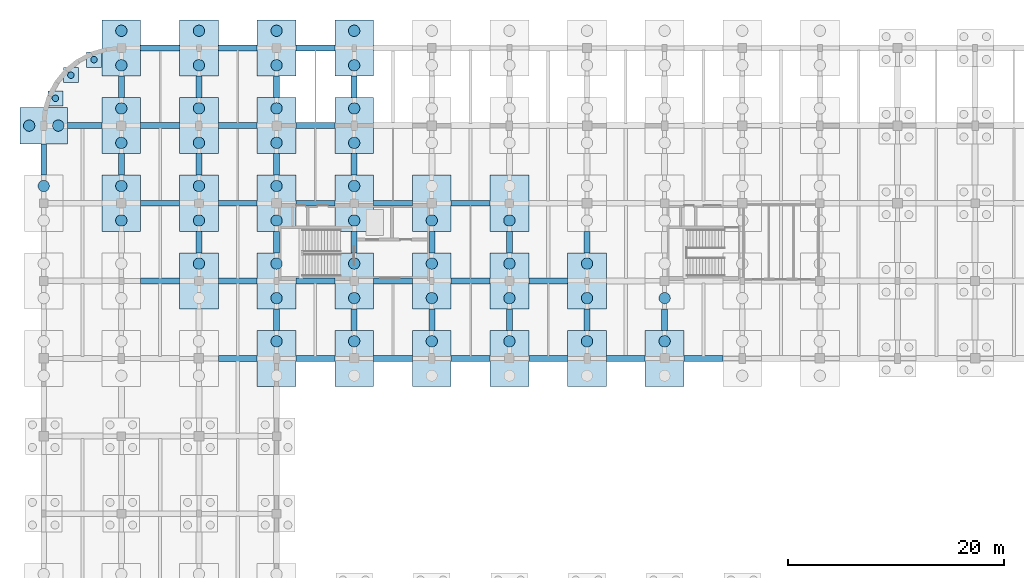
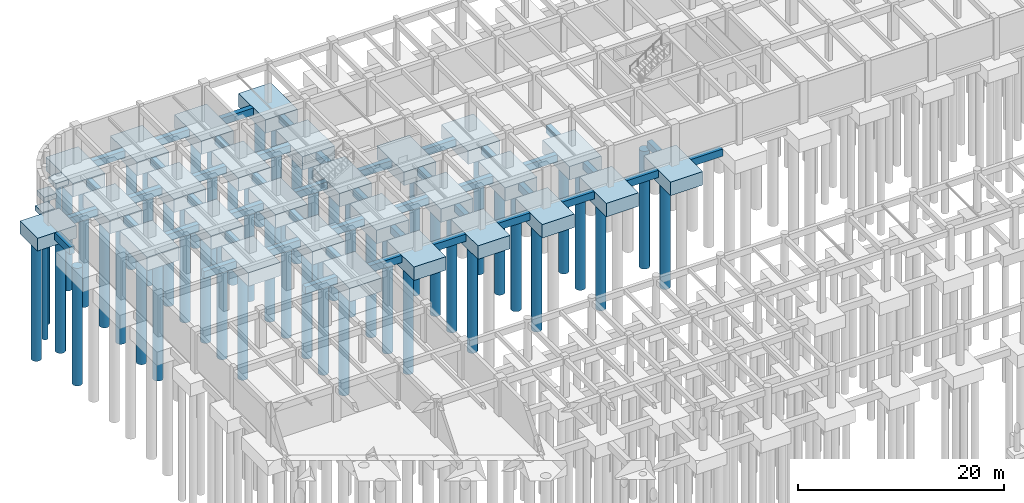
# One storey, part 7 of 47: 76 footings, 50 piles.
"""IFC4 building model written with IfcOpenShell, lengths in metres."""

from ifc_helpers import new_model, si_unit, direction, frame, origin, origin_2d, place, context, subcontext, project, spatial, rectangle, circle, extrude, material, material_profile, profile_set, type_object, element, save


model = new_model("IFC4")

# Units and contexts
model_context = context("Model", 3, precision=1e-05, world=origin(), true_north=direction((0.0, 1.0)))
body_context = subcontext(model_context, "Body", "Model", "MODEL_VIEW")
ifc_project = project(units=[si_unit("LENGTHUNIT", "METRE"), si_unit("AREAUNIT", "SQUARE_METRE"), si_unit("VOLUMEUNIT", "CUBIC_METRE"), si_unit("PLANEANGLEUNIT", "RADIAN"), si_unit("MASSUNIT", "GRAM", prefix="KILO")], contexts=[model_context])

# Site, building, storey
site_placement = place(None, origin())
site = spatial("IfcSite", under=ifc_project, at=site_placement, CompositionType="ELEMENT")
building_placement = place(site_placement, origin())
building = spatial("IfcBuilding", under=site, at=building_placement, Name="Thalmaran Polytechnic", CompositionType="ELEMENT")
storey_placement = place(building_placement, frame((0.0, 0.0, -4.5)))
storey = spatial("IfcBuildingStorey", under=building, at=storey_placement, Name="B1", CompositionType="ELEMENT", Elevation=-4.5)

# Footings
ifc_material_1 = material(Name="Concrete C40/50", Category="concrete")
ifc_material_profile_1 = material_profile(ifc_material_1, rectangle(XDim=0.550048828125, YDim=0.85009765625, at=origin_2d()), Name="RC 550x850")
ifc_profile_set_1 = profile_set([ifc_material_profile_1], Name="Concrete C40/50")
footing_type_1 = type_object("IfcFootingType", Name="FN-GB01", PredefinedType="FOOTING_BEAM", material=ifc_profile_set_1)
footing_1_placement = place(storey_placement, frame((0.0, 110.60009765625, -0.875), z_axis=(0.0, 1.0, 0.0), x_axis=(-1.0, 0.0, 0.0)))
element("IfcFooting", 1, at=footing_1_placement, inside=storey, type_object=footing_type_1, Name="Ground Tie Beam B1 Y (0,15)", PredefinedType="FOOTING_BEAM", context=body_context, shape_type="SweptSolid", body=[
    extrude(rectangle(XDim=0.550048828125, YDim=0.85009765625, at=origin_2d()), origin(), (0.0, 0.0, 1.0), 2.89990234375),
])
footing_2_placement = place(storey_placement, frame((2.199951171875, 115.199951171875, -0.875), z_axis=(1.0, 0.0, 0.0), x_axis=(0.0, 1.0, 0.0)))
element("IfcFooting", 2, at=footing_2_placement, inside=storey, type_object=footing_type_1, Name="Ground Tie Beam B1 X (0,16)", PredefinedType="FOOTING_BEAM", context=body_context, shape_type="SweptSolid", body=[
    extrude(rectangle(XDim=0.550048828125, YDim=0.85009765625, at=origin_2d()), origin(), (0.0, 0.0, 1.0), 3.199951171875),
])
for number, where, z_axis, x_axis, name in (
    (3, (9.0, 100.800048828125, -0.875), (1.0, 0.0, 0.0), (0.0, 1.0, 0.0), "Ground Tie Beam B1 X (1,14)"),
    (4, (9.0, 108.0, -0.875), (1.0, 0.0, 0.0), (0.0, 1.0, 0.0), "Ground Tie Beam B1 X (1,15)"),
):
    element("IfcFooting", number, at=place(storey_placement, frame(where, z_axis=z_axis, x_axis=x_axis)), inside=storey, type_object=footing_type_1, Name=name, PredefinedType="FOOTING_BEAM", context=body_context, shape_type="SweptSolid", body=[
        extrude(rectangle(XDim=0.550048828125, YDim=0.85009765625, at=origin_2d()), origin(), (0.0, 0.0, 1.0), 3.60009765625),
    ])
footing_3_placement = place(storey_placement, frame((7.199951171875, 110.60009765625, -0.875), z_axis=(0.0, 1.0, 0.0), x_axis=(-1.0, 0.0, 0.0)))
element("IfcFooting", 5, at=footing_3_placement, inside=storey, type_object=footing_type_1, Name="Ground Tie Beam B1 Y (1,15)", PredefinedType="FOOTING_BEAM", context=body_context, shape_type="SweptSolid", body=[
    extrude(rectangle(XDim=0.550048828125, YDim=0.85009765625, at=origin_2d()), origin(), (0.0, 0.0, 1.0), 2.0),
])
footing_4_placement = place(storey_placement, frame((9.0, 115.199951171875, -0.875), z_axis=(1.0, 0.0, 0.0), x_axis=(0.0, 1.0, 0.0)))
element("IfcFooting", 6, at=footing_4_placement, inside=storey, type_object=footing_type_1, Name="Ground Tie Beam B1 X (1,16)", PredefinedType="FOOTING_BEAM", context=body_context, shape_type="SweptSolid", body=[
    extrude(rectangle(XDim=0.550048828125, YDim=0.85009765625, at=origin_2d()), origin(), (0.0, 0.0, 1.0), 3.60009765625),
])
footing_5_placement = place(storey_placement, frame((7.199951171875, 117.800048828125, -0.875), z_axis=(0.0, 1.0, 0.0), x_axis=(-1.0, 0.0, 0.0)))
element("IfcFooting", 7, at=footing_5_placement, inside=storey, type_object=footing_type_1, Name="Ground Tie Beam B1 Y (1,16)", PredefinedType="FOOTING_BEAM", context=body_context, shape_type="SweptSolid", body=[
    extrude(rectangle(XDim=0.550048828125, YDim=0.85009765625, at=origin_2d()), origin(), (0.0, 0.0, 1.0), 2.0),
])
for number, where, z_axis, x_axis, name in (
    (8, (9.0, 122.39990234375, -0.875), (1.0, 0.0, 0.0), (0.0, 1.0, 0.0), "Ground Tie Beam B1 X (1,17)"),
    (9, (16.199951171875, 93.60009765625, -0.875), (1.0, 0.0, 0.0), (0.0, 1.0, 0.0), "Ground Tie Beam B1 X (2,13)"),
    (10, (16.199951171875, 100.800048828125, -0.875), (1.0, 0.0, 0.0), (0.0, 1.0, 0.0), "Ground Tie Beam B1 X (2,14)"),
):
    element("IfcFooting", number, at=place(storey_placement, frame(where, z_axis=z_axis, x_axis=x_axis)), inside=storey, type_object=footing_type_1, Name=name, PredefinedType="FOOTING_BEAM", context=body_context, shape_type="SweptSolid", body=[
        extrude(rectangle(XDim=0.550048828125, YDim=0.85009765625, at=origin_2d()), origin(), (0.0, 0.0, 1.0), 3.60009765625),
    ])
footing_6_placement = place(storey_placement, frame((14.39990234375, 103.39990234375, -0.875), z_axis=(0.0, 1.0, 0.0), x_axis=(-1.0, 0.0, 0.0)))
element("IfcFooting", 11, at=footing_6_placement, inside=storey, type_object=footing_type_1, Name="Ground Tie Beam B1 Y (2,14)", PredefinedType="FOOTING_BEAM", context=body_context, shape_type="SweptSolid", body=[
    extrude(rectangle(XDim=0.550048828125, YDim=0.85009765625, at=origin_2d()), origin(), (0.0, 0.0, 1.0), 2.0),
])
footing_7_placement = place(storey_placement, frame((16.199951171875, 108.0, -0.875), z_axis=(1.0, 0.0, 0.0), x_axis=(0.0, 1.0, 0.0)))
element("IfcFooting", 12, at=footing_7_placement, inside=storey, type_object=footing_type_1, Name="Ground Tie Beam B1 X (2,15)", PredefinedType="FOOTING_BEAM", context=body_context, shape_type="SweptSolid", body=[
    extrude(rectangle(XDim=0.550048828125, YDim=0.85009765625, at=origin_2d()), origin(), (0.0, 0.0, 1.0), 3.60009765625),
])
footing_8_placement = place(storey_placement, frame((14.39990234375, 110.60009765625, -0.875), z_axis=(0.0, 1.0, 0.0), x_axis=(-1.0, 0.0, 0.0)))
element("IfcFooting", 13, at=footing_8_placement, inside=storey, type_object=footing_type_1, Name="Ground Tie Beam B1 Y (2,15)", PredefinedType="FOOTING_BEAM", context=body_context, shape_type="SweptSolid", body=[
    extrude(rectangle(XDim=0.550048828125, YDim=0.85009765625, at=origin_2d()), origin(), (0.0, 0.0, 1.0), 2.0),
])
footing_9_placement = place(storey_placement, frame((16.199951171875, 115.199951171875, -0.875), z_axis=(1.0, 0.0, 0.0), x_axis=(0.0, 1.0, 0.0)))
element("IfcFooting", 14, at=footing_9_placement, inside=storey, type_object=footing_type_1, Name="Ground Tie Beam B1 X (2,16)", PredefinedType="FOOTING_BEAM", context=body_context, shape_type="SweptSolid", body=[
    extrude(rectangle(XDim=0.550048828125, YDim=0.85009765625, at=origin_2d()), origin(), (0.0, 0.0, 1.0), 3.60009765625),
])
footing_10_placement = place(storey_placement, frame((14.39990234375, 117.800048828125, -0.875), z_axis=(0.0, 1.0, 0.0), x_axis=(-1.0, 0.0, 0.0)))
element("IfcFooting", 15, at=footing_10_placement, inside=storey, type_object=footing_type_1, Name="Ground Tie Beam B1 Y (2,16)", PredefinedType="FOOTING_BEAM", context=body_context, shape_type="SweptSolid", body=[
    extrude(rectangle(XDim=0.550048828125, YDim=0.85009765625, at=origin_2d()), origin(), (0.0, 0.0, 1.0), 2.0),
])
for number, where, z_axis, x_axis, name in (
    (16, (16.199951171875, 122.39990234375, -0.875), (1.0, 0.0, 0.0), (0.0, 1.0, 0.0), "Ground Tie Beam B1 X (2,17)"),
    (17, (23.39990234375, 93.60009765625, -0.875), (1.0, 0.0, 0.0), (0.0, 1.0, 0.0), "Ground Tie Beam B1 X (3,13)"),
):
    element("IfcFooting", number, at=place(storey_placement, frame(where, z_axis=z_axis, x_axis=x_axis)), inside=storey, type_object=footing_type_1, Name=name, PredefinedType="FOOTING_BEAM", context=body_context, shape_type="SweptSolid", body=[
        extrude(rectangle(XDim=0.550048828125, YDim=0.85009765625, at=origin_2d()), origin(), (0.0, 0.0, 1.0), 3.60009765625),
    ])
footing_11_placement = place(storey_placement, frame((21.60009765625, 96.199951171875, -0.875), z_axis=(0.0, 1.0, 0.0), x_axis=(-1.0, 0.0, 0.0)))
element("IfcFooting", 18, at=footing_11_placement, inside=storey, type_object=footing_type_1, Name="Ground Tie Beam B1 Y (3,13)", PredefinedType="FOOTING_BEAM", context=body_context, shape_type="SweptSolid", body=[
    extrude(rectangle(XDim=0.550048828125, YDim=0.85009765625, at=origin_2d()), origin(), (0.0, 0.0, 1.0), 2.0),
])
footing_12_placement = place(storey_placement, frame((23.39990234375, 100.800048828125, -0.875), z_axis=(1.0, 0.0, 0.0), x_axis=(0.0, 1.0, 0.0)))
element("IfcFooting", 19, at=footing_12_placement, inside=storey, type_object=footing_type_1, Name="Ground Tie Beam B1 X (3,14)", PredefinedType="FOOTING_BEAM", context=body_context, shape_type="SweptSolid", body=[
    extrude(rectangle(XDim=0.550048828125, YDim=0.85009765625, at=origin_2d()), origin(), (0.0, 0.0, 1.0), 3.60009765625),
])
footing_13_placement = place(storey_placement, frame((21.60009765625, 103.39990234375, -0.875), z_axis=(0.0, 1.0, 0.0), x_axis=(-1.0, 0.0, 0.0)))
element("IfcFooting", 20, at=footing_13_placement, inside=storey, type_object=footing_type_1, Name="Ground Tie Beam B1 Y (3,14)", PredefinedType="FOOTING_BEAM", context=body_context, shape_type="SweptSolid", body=[
    extrude(rectangle(XDim=0.550048828125, YDim=0.85009765625, at=origin_2d()), origin(), (0.0, 0.0, 1.0), 2.0),
])
footing_14_placement = place(storey_placement, frame((23.39990234375, 108.0, -0.875), z_axis=(1.0, 0.0, 0.0), x_axis=(0.0, 1.0, 0.0)))
element("IfcFooting", 21, at=footing_14_placement, inside=storey, type_object=footing_type_1, Name="Ground Tie Beam B1 X (3,15)", PredefinedType="FOOTING_BEAM", context=body_context, shape_type="SweptSolid", body=[
    extrude(rectangle(XDim=0.550048828125, YDim=0.85009765625, at=origin_2d()), origin(), (0.0, 0.0, 1.0), 3.60009765625),
])
footing_15_placement = place(storey_placement, frame((21.60009765625, 110.60009765625, -0.875), z_axis=(0.0, 1.0, 0.0), x_axis=(-1.0, 0.0, 0.0)))
element("IfcFooting", 22, at=footing_15_placement, inside=storey, type_object=footing_type_1, Name="Ground Tie Beam B1 Y (3,15)", PredefinedType="FOOTING_BEAM", context=body_context, shape_type="SweptSolid", body=[
    extrude(rectangle(XDim=0.550048828125, YDim=0.85009765625, at=origin_2d()), origin(), (0.0, 0.0, 1.0), 2.0),
])
footing_16_placement = place(storey_placement, frame((23.39990234375, 115.199951171875, -0.875), z_axis=(1.0, 0.0, 0.0), x_axis=(0.0, 1.0, 0.0)))
element("IfcFooting", 23, at=footing_16_placement, inside=storey, type_object=footing_type_1, Name="Ground Tie Beam B1 X (3,16)", PredefinedType="FOOTING_BEAM", context=body_context, shape_type="SweptSolid", body=[
    extrude(rectangle(XDim=0.550048828125, YDim=0.85009765625, at=origin_2d()), origin(), (0.0, 0.0, 1.0), 3.60009765625),
])
footing_17_placement = place(storey_placement, frame((21.60009765625, 117.800048828125, -0.875), z_axis=(0.0, 1.0, 0.0), x_axis=(-1.0, 0.0, 0.0)))
element("IfcFooting", 24, at=footing_17_placement, inside=storey, type_object=footing_type_1, Name="Ground Tie Beam B1 Y (3,16)", PredefinedType="FOOTING_BEAM", context=body_context, shape_type="SweptSolid", body=[
    extrude(rectangle(XDim=0.550048828125, YDim=0.85009765625, at=origin_2d()), origin(), (0.0, 0.0, 1.0), 2.0),
])
footing_18_placement = place(storey_placement, frame((23.39990234375, 122.39990234375, -0.875), z_axis=(1.0, 0.0, 0.0), x_axis=(0.0, 1.0, 0.0)))
element("IfcFooting", 25, at=footing_18_placement, inside=storey, type_object=footing_type_1, Name="Ground Tie Beam B1 X (3,17)", PredefinedType="FOOTING_BEAM", context=body_context, shape_type="SweptSolid", body=[
    extrude(rectangle(XDim=0.550048828125, YDim=0.85009765625, at=origin_2d()), origin(), (0.0, 0.0, 1.0), 3.60009765625),
])
footing_19_placement = place(storey_placement, frame((30.60009765625, 93.60009765625, -0.875), z_axis=(1.0, 0.0, 0.0), x_axis=(0.0, 1.0, 0.0)))
element("IfcFooting", 26, at=footing_19_placement, inside=storey, type_object=footing_type_1, Name="Ground Tie Beam B1 X (4,13)", PredefinedType="FOOTING_BEAM", context=body_context, shape_type="SweptSolid", body=[
    extrude(rectangle(XDim=0.550048828125, YDim=0.85009765625, at=origin_2d()), origin(), (0.0, 0.0, 1.0), 3.599853515625),
])
footing_20_placement = place(storey_placement, frame((28.800048828125, 96.199951171875, -0.875), z_axis=(0.0, 1.0, 0.0), x_axis=(-1.0, 0.0, 0.0)))
element("IfcFooting", 27, at=footing_20_placement, inside=storey, type_object=footing_type_1, Name="Ground Tie Beam B1 Y (4,13)", PredefinedType="FOOTING_BEAM", context=body_context, shape_type="SweptSolid", body=[
    extrude(rectangle(XDim=0.550048828125, YDim=0.85009765625, at=origin_2d()), origin(), (0.0, 0.0, 1.0), 2.0),
])
footing_21_placement = place(storey_placement, frame((30.60009765625, 100.800048828125, -0.875), z_axis=(1.0, 0.0, 0.0), x_axis=(0.0, 1.0, 0.0)))
element("IfcFooting", 28, at=footing_21_placement, inside=storey, type_object=footing_type_1, Name="Ground Tie Beam B1 X (4,14)", PredefinedType="FOOTING_BEAM", context=body_context, shape_type="SweptSolid", body=[
    extrude(rectangle(XDim=0.550048828125, YDim=0.85009765625, at=origin_2d()), origin(), (0.0, 0.0, 1.0), 3.599853515625),
])
footing_22_placement = place(storey_placement, frame((28.800048828125, 103.39990234375, -0.875), z_axis=(0.0, 1.0, 0.0), x_axis=(-1.0, 0.0, 0.0)))
element("IfcFooting", 29, at=footing_22_placement, inside=storey, type_object=footing_type_1, Name="Ground Tie Beam B1 Y (4,14)", PredefinedType="FOOTING_BEAM", context=body_context, shape_type="SweptSolid", body=[
    extrude(rectangle(XDim=0.550048828125, YDim=0.85009765625, at=origin_2d()), origin(), (0.0, 0.0, 1.0), 2.0),
])
footing_23_placement = place(storey_placement, frame((30.60009765625, 108.0, -0.875), z_axis=(1.0, 0.0, 0.0), x_axis=(0.0, 1.0, 0.0)))
element("IfcFooting", 30, at=footing_23_placement, inside=storey, type_object=footing_type_1, Name="Ground Tie Beam B1 X (4,15)", PredefinedType="FOOTING_BEAM", context=body_context, shape_type="SweptSolid", body=[
    extrude(rectangle(XDim=0.550048828125, YDim=0.85009765625, at=origin_2d()), origin(), (0.0, 0.0, 1.0), 3.599853515625),
])
for number, where, z_axis, x_axis, name in (
    (31, (28.800048828125, 110.60009765625, -0.875), (0.0, 1.0, 0.0), (-1.0, 0.0, 0.0), "Ground Tie Beam B1 Y (4,15)"),
    (32, (28.800048828125, 117.800048828125, -0.875), (0.0, 1.0, 0.0), (-1.0, 0.0, 0.0), "Ground Tie Beam B1 Y (4,16)"),
):
    element("IfcFooting", number, at=place(storey_placement, frame(where, z_axis=z_axis, x_axis=x_axis)), inside=storey, type_object=footing_type_1, Name=name, PredefinedType="FOOTING_BEAM", context=body_context, shape_type="SweptSolid", body=[
        extrude(rectangle(XDim=0.550048828125, YDim=0.85009765625, at=origin_2d()), origin(), (0.0, 0.0, 1.0), 2.0),
    ])
footing_24_placement = place(storey_placement, frame((37.800048828125, 93.60009765625, -0.875), z_axis=(1.0, 0.0, 0.0), x_axis=(0.0, 1.0, 0.0)))
element("IfcFooting", 33, at=footing_24_placement, inside=storey, type_object=footing_type_1, Name="Ground Tie Beam B1 X (5,13)", PredefinedType="FOOTING_BEAM", context=body_context, shape_type="SweptSolid", body=[
    extrude(rectangle(XDim=0.550048828125, YDim=0.85009765625, at=origin_2d()), origin(), (0.0, 0.0, 1.0), 3.599853515625),
])
footing_25_placement = place(storey_placement, frame((36.0, 96.199951171875, -0.875), z_axis=(0.0, 1.0, 0.0), x_axis=(-1.0, 0.0, 0.0)))
element("IfcFooting", 34, at=footing_25_placement, inside=storey, type_object=footing_type_1, Name="Ground Tie Beam B1 Y (5,13)", PredefinedType="FOOTING_BEAM", context=body_context, shape_type="SweptSolid", body=[
    extrude(rectangle(XDim=0.550048828125, YDim=0.85009765625, at=origin_2d()), origin(), (0.0, 0.0, 1.0), 2.0),
])
footing_26_placement = place(storey_placement, frame((37.800048828125, 100.800048828125, -0.875), z_axis=(1.0, 0.0, 0.0), x_axis=(0.0, 1.0, 0.0)))
element("IfcFooting", 35, at=footing_26_placement, inside=storey, type_object=footing_type_1, Name="Ground Tie Beam B1 X (5,14)", PredefinedType="FOOTING_BEAM", context=body_context, shape_type="SweptSolid", body=[
    extrude(rectangle(XDim=0.550048828125, YDim=0.85009765625, at=origin_2d()), origin(), (0.0, 0.0, 1.0), 3.599853515625),
])
footing_27_placement = place(storey_placement, frame((36.0, 103.39990234375, -0.875), z_axis=(0.0, 1.0, 0.0), x_axis=(-1.0, 0.0, 0.0)))
element("IfcFooting", 36, at=footing_27_placement, inside=storey, type_object=footing_type_1, Name="Ground Tie Beam B1 Y (5,14)", PredefinedType="FOOTING_BEAM", context=body_context, shape_type="SweptSolid", body=[
    extrude(rectangle(XDim=0.550048828125, YDim=0.85009765625, at=origin_2d()), origin(), (0.0, 0.0, 1.0), 2.0),
])
footing_28_placement = place(storey_placement, frame((37.800048828125, 108.0, -0.875), z_axis=(1.0, 0.0, 0.0), x_axis=(0.0, 1.0, 0.0)))
element("IfcFooting", 37, at=footing_28_placement, inside=storey, type_object=footing_type_1, Name="Ground Tie Beam B1 X (5,15)", PredefinedType="FOOTING_BEAM", context=body_context, shape_type="SweptSolid", body=[
    extrude(rectangle(XDim=0.550048828125, YDim=0.85009765625, at=origin_2d()), origin(), (0.0, 0.0, 1.0), 3.599853515625),
])
footing_29_placement = place(storey_placement, frame((45.0, 93.60009765625, -0.875), z_axis=(1.0, 0.0, 0.0), x_axis=(0.0, 1.0, 0.0)))
element("IfcFooting", 38, at=footing_29_placement, inside=storey, type_object=footing_type_1, Name="Ground Tie Beam B1 X (6,13)", PredefinedType="FOOTING_BEAM", context=body_context, shape_type="SweptSolid", body=[
    extrude(rectangle(XDim=0.550048828125, YDim=0.85009765625, at=origin_2d()), origin(), (0.0, 0.0, 1.0), 3.60009765625),
])
footing_30_placement = place(storey_placement, frame((43.199951171875, 96.199951171875, -0.875), z_axis=(0.0, 1.0, 0.0), x_axis=(-1.0, 0.0, 0.0)))
element("IfcFooting", 39, at=footing_30_placement, inside=storey, type_object=footing_type_1, Name="Ground Tie Beam B1 Y (6,13)", PredefinedType="FOOTING_BEAM", context=body_context, shape_type="SweptSolid", body=[
    extrude(rectangle(XDim=0.550048828125, YDim=0.85009765625, at=origin_2d()), origin(), (0.0, 0.0, 1.0), 2.0),
])
footing_31_placement = place(storey_placement, frame((45.0, 100.800048828125, -0.875), z_axis=(1.0, 0.0, 0.0), x_axis=(0.0, 1.0, 0.0)))
element("IfcFooting", 40, at=footing_31_placement, inside=storey, type_object=footing_type_1, Name="Ground Tie Beam B1 X (6,14)", PredefinedType="FOOTING_BEAM", context=body_context, shape_type="SweptSolid", body=[
    extrude(rectangle(XDim=0.550048828125, YDim=0.85009765625, at=origin_2d()), origin(), (0.0, 0.0, 1.0), 3.60009765625),
])
footing_32_placement = place(storey_placement, frame((43.199951171875, 103.39990234375, -0.875), z_axis=(0.0, 1.0, 0.0), x_axis=(-1.0, 0.0, 0.0)))
element("IfcFooting", 41, at=footing_32_placement, inside=storey, type_object=footing_type_1, Name="Ground Tie Beam B1 Y (6,14)", PredefinedType="FOOTING_BEAM", context=body_context, shape_type="SweptSolid", body=[
    extrude(rectangle(XDim=0.550048828125, YDim=0.85009765625, at=origin_2d()), origin(), (0.0, 0.0, 1.0), 2.0),
])
footing_33_placement = place(storey_placement, frame((52.199951171875, 93.60009765625, -0.875), z_axis=(1.0, 0.0, 0.0), x_axis=(0.0, 1.0, 0.0)))
element("IfcFooting", 42, at=footing_33_placement, inside=storey, type_object=footing_type_1, Name="Ground Tie Beam B1 X (7,13)", PredefinedType="FOOTING_BEAM", context=body_context, shape_type="SweptSolid", body=[
    extrude(rectangle(XDim=0.550048828125, YDim=0.85009765625, at=origin_2d()), origin(), (0.0, 0.0, 1.0), 3.60009765625),
])
for number, where, z_axis, x_axis, name in (
    (43, (50.39990234375, 96.199951171875, -0.875), (0.0, 1.0, 0.0), (-1.0, 0.0, 0.0), "Ground Tie Beam B1 Y (7,13)"),
    (44, (50.39990234375, 103.39990234375, -0.875), (0.0, 1.0, 0.0), (-1.0, 0.0, 0.0), "Ground Tie Beam B1 Y (7,14)"),
):
    element("IfcFooting", number, at=place(storey_placement, frame(where, z_axis=z_axis, x_axis=x_axis)), inside=storey, type_object=footing_type_1, Name=name, PredefinedType="FOOTING_BEAM", context=body_context, shape_type="SweptSolid", body=[
        extrude(rectangle(XDim=0.550048828125, YDim=0.85009765625, at=origin_2d()), origin(), (0.0, 0.0, 1.0), 2.0),
    ])
footing_34_placement = place(storey_placement, frame((59.39990234375, 93.60009765625, -0.875), z_axis=(1.0, 0.0, 0.0), x_axis=(0.0, 1.0, 0.0)))
element("IfcFooting", 45, at=footing_34_placement, inside=storey, type_object=footing_type_1, Name="Ground Tie Beam B1 X (8,13)", PredefinedType="FOOTING_BEAM", context=body_context, shape_type="SweptSolid", body=[
    extrude(rectangle(XDim=0.550048828125, YDim=0.85009765625, at=origin_2d()), origin(), (0.0, 0.0, 1.0), 3.60009765625),
])
footing_35_placement = place(storey_placement, frame((57.60009765625, 96.199951171875, -0.875), z_axis=(0.0, 1.0, 0.0), x_axis=(-1.0, 0.0, 0.0)))
element("IfcFooting", 46, at=footing_35_placement, inside=storey, type_object=footing_type_1, Name="Ground Tie Beam B1 Y (8,13)", PredefinedType="FOOTING_BEAM", context=body_context, shape_type="SweptSolid", body=[
    extrude(rectangle(XDim=0.550048828125, YDim=0.85009765625, at=origin_2d()), origin(), (0.0, 0.0, 1.0), 2.0),
])
footing_type_2 = type_object("IfcFootingType", Name="FN-PC01", PredefinedType="PILE_CAP", material=ifc_material_1)
footing_36_placement = place(storey_placement, frame((0.0, 115.199951171875, -1.949951171875), z_axis=(0.0, 0.0, 1.0), x_axis=(1.0, 0.0, 0.0)))
element("IfcFooting", 47, at=footing_36_placement, inside=storey, type_object=footing_type_2, Name="Pile Cap PC01 (0,16)", PredefinedType="PILE_CAP", context=body_context, shape_type="SweptSolid", body=[
    extrude(rectangle(XDim=4.39990234375, YDim=3.39990234375, at=origin_2d()), origin(), (0.0, 0.0, 1.0), 1.5),
])
footing_type_3 = type_object("IfcFootingType", Name="FN-PC08", PredefinedType="PILE_CAP", material=ifc_material_1)
for number, where, z_axis, x_axis, name in (
    (48, (7.199951171875, 108.0, -2.050048828125), (0.0, 0.0, 1.0), (1.0, 0.0, 0.0), "Pile Cap PC08 (1,15)"),
    (49, (7.199951171875, 115.199951171875, -2.050048828125), (0.0, 0.0, 1.0), (1.0, 0.0, 0.0), "Pile Cap PC08 (1,16)"),
    (50, (7.199951171875, 122.39990234375, -2.050048828125), (0.0, 0.0, 1.0), (1.0, 0.0, 0.0), "Pile Cap PC08 (1,17)"),
    (51, (14.39990234375, 100.800048828125, -2.050048828125), (0.0, 0.0, 1.0), (1.0, 0.0, 0.0), "Pile Cap PC08 (2,14)"),
    (52, (14.39990234375, 108.0, -2.050048828125), (0.0, 0.0, 1.0), (1.0, 0.0, 0.0), "Pile Cap PC08 (2,15)"),
    (53, (14.39990234375, 115.199951171875, -2.050048828125), (0.0, 0.0, 1.0), (1.0, 0.0, 0.0), "Pile Cap PC08 (2,16)"),
    (54, (14.39990234375, 122.39990234375, -2.050048828125), (0.0, 0.0, 1.0), (1.0, 0.0, 0.0), "Pile Cap PC08 (2,17)"),
    (55, (21.60009765625, 93.60009765625, -2.050048828125), (0.0, 0.0, 1.0), (1.0, 0.0, 0.0), "Pile Cap PC08 (3,13)"),
    (56, (21.60009765625, 100.800048828125, -2.050048828125), (0.0, 0.0, 1.0), (1.0, 0.0, 0.0), "Pile Cap PC08 (3,14)"),
    (57, (21.60009765625, 108.0, -2.050048828125), (0.0, 0.0, 1.0), (1.0, 0.0, 0.0), "Pile Cap PC08 (3,15)"),
    (58, (21.60009765625, 115.199951171875, -2.050048828125), (0.0, 0.0, 1.0), (1.0, 0.0, 0.0), "Pile Cap PC08 (3,16)"),
    (59, (21.60009765625, 122.39990234375, -2.050048828125), (0.0, 0.0, 1.0), (1.0, 0.0, 0.0), "Pile Cap PC08 (3,17)"),
    (60, (28.800048828125, 93.60009765625, -2.050048828125), (0.0, 0.0, 1.0), (1.0, 0.0, 0.0), "Pile Cap PC08 (4,13)"),
    (61, (28.800048828125, 100.800048828125, -2.050048828125), (0.0, 0.0, 1.0), (1.0, 0.0, 0.0), "Pile Cap PC08 (4,14)"),
    (62, (28.800048828125, 108.0, -2.050048828125), (0.0, 0.0, 1.0), (1.0, 0.0, 0.0), "Pile Cap PC08 (4,15)"),
    (63, (28.800048828125, 115.199951171875, -2.050048828125), (0.0, 0.0, 1.0), (1.0, 0.0, 0.0), "Pile Cap PC08 (4,16)"),
    (64, (28.800048828125, 122.39990234375, -2.050048828125), (0.0, 0.0, 1.0), (1.0, 0.0, 0.0), "Pile Cap PC08 (4,17)"),
    (65, (36.0, 93.60009765625, -2.050048828125), (0.0, 0.0, 1.0), (1.0, 0.0, 0.0), "Pile Cap PC08 (5,13)"),
    (66, (36.0, 100.800048828125, -2.050048828125), (0.0, 0.0, 1.0), (1.0, 0.0, 0.0), "Pile Cap PC08 (5,14)"),
    (67, (36.0, 108.0, -2.050048828125), (0.0, 0.0, 1.0), (1.0, 0.0, 0.0), "Pile Cap PC08 (5,15)"),
    (68, (43.199951171875, 93.60009765625, -2.050048828125), (0.0, 0.0, 1.0), (1.0, 0.0, 0.0), "Pile Cap PC08 (6,13)"),
    (69, (43.199951171875, 100.800048828125, -2.050048828125), (0.0, 0.0, 1.0), (1.0, 0.0, 0.0), "Pile Cap PC08 (6,14)"),
    (70, (43.199951171875, 108.0, -2.050048828125), (0.0, 0.0, 1.0), (1.0, 0.0, 0.0), "Pile Cap PC08 (6,15)"),
    (71, (50.39990234375, 93.60009765625, -2.050048828125), (0.0, 0.0, 1.0), (1.0, 0.0, 0.0), "Pile Cap PC08 (7,13)"),
    (72, (50.39990234375, 100.800048828125, -2.050048828125), (0.0, 0.0, 1.0), (1.0, 0.0, 0.0), "Pile Cap PC08 (7,14)"),
    (73, (57.60009765625, 93.60009765625, -2.050048828125), (0.0, 0.0, 1.0), (1.0, 0.0, 0.0), "Pile Cap PC08 (8,13)"),
):
    element("IfcFooting", number, at=place(storey_placement, frame(where, z_axis=z_axis, x_axis=x_axis)), inside=storey, type_object=footing_type_3, Name=name, PredefinedType="PILE_CAP", context=body_context, shape_type="SweptSolid", body=[
        extrude(rectangle(XDim=3.60009765625, YDim=5.199951171875, at=origin_2d()), origin(), (0.0, 0.0, 1.0), 1.60009765625),
    ])
footing_type_4 = type_object("IfcFootingType", Name="FN-PF03", PredefinedType="PAD_FOOTING", material=ifc_material_1)
for number, where, z_axis, x_axis, name in (
    (74, (4.666748046875, 121.316162109375, -1.050048828125), (0.0, 0.0, 1.0), (1.0, 0.0, 0.0), "Prow Column Cap NWP1"),
    (75, (2.51904296875, 119.881103515625, -1.050048828125), (0.0, 0.0, 1.0), (1.0, 0.0, 0.0), "Prow Column Cap NWP2"),
    (76, (1.083984375, 117.7333984375, -1.050048828125), (0.0, 0.0, 1.0), (1.0, 0.0, 0.0), "Prow Column Cap NWP3"),
):
    element("IfcFooting", number, at=place(storey_placement, frame(where, z_axis=z_axis, x_axis=x_axis)), inside=storey, type_object=footing_type_4, Name=name, PredefinedType="PAD_FOOTING", context=body_context, shape_type="SweptSolid", body=[
        extrude(rectangle(XDim=1.39990234375, YDim=1.39990234375, at=origin_2d()), origin(), (0.0, 0.0, 1.0), 0.60009765625),
    ])

# Piles
ifc_material_2 = material(Name="Concrete C35/45", Category="concrete")
ifc_material_profile_2 = material_profile(ifc_material_2, circle(Radius=0.52490234375, at=origin_2d()), Name="RC 1050 DIA")
ifc_profile_set_2 = profile_set([ifc_material_profile_2], Name="Concrete C35/45")
pile_type_1 = type_object("IfcPileType", Name="PL-BP01", PredefinedType="BORED", material=ifc_profile_set_2)
pile_placement = place(storey_placement, frame((0.0, 109.60009765625, -2.050048828125), z_axis=(0.0, 0.0, -1.0), x_axis=(1.0, 0.0, 0.0)))
element("IfcPile", 77, at=pile_placement, inside=storey, type_object=pile_type_1, Name="Bored Pile BP01 (0,15)-2", PredefinedType="BORED", context=body_context, shape_type="SweptSolid", body=[
    extrude(circle(Radius=0.52490234375, at=origin_2d()), origin(), (0.0, 0.0, 1.0), 13.949951171875),
])
for number, where, z_axis, x_axis, name in (
    (78, (-1.35009765625, 115.199951171875, -1.949951171875), (0.0, 0.0, -1.0), (1.0, 0.0, 0.0), "Bored Pile BP01 (0,16)-1"),
    (79, (1.35009765625, 115.199951171875, -1.949951171875), (0.0, 0.0, -1.0), (1.0, 0.0, 0.0), "Bored Pile BP01 (0,16)-2"),
):
    element("IfcPile", number, at=place(storey_placement, frame(where, z_axis=z_axis, x_axis=x_axis)), inside=storey, type_object=pile_type_1, Name=name, PredefinedType="BORED", context=body_context, shape_type="SweptSolid", body=[
        extrude(circle(Radius=0.52490234375, at=origin_2d()), origin(), (0.0, 0.0, 1.0), 14.050048828125),
    ])
for number, where, z_axis, x_axis, name in (
    (80, (7.199951171875, 106.39990234375, -2.050048828125), (0.0, 0.0, -1.0), (1.0, 0.0, 0.0), "Bored Pile BP01 (1,15)-1"),
    (81, (7.199951171875, 109.60009765625, -2.050048828125), (0.0, 0.0, -1.0), (1.0, 0.0, 0.0), "Bored Pile BP01 (1,15)-2"),
    (82, (7.199951171875, 113.60009765625, -2.050048828125), (0.0, 0.0, -1.0), (1.0, 0.0, 0.0), "Bored Pile BP01 (1,16)-1"),
    (83, (7.199951171875, 116.800048828125, -2.050048828125), (0.0, 0.0, -1.0), (1.0, 0.0, 0.0), "Bored Pile BP01 (1,16)-2"),
    (84, (7.199951171875, 120.800048828125, -2.050048828125), (0.0, 0.0, -1.0), (1.0, 0.0, 0.0), "Bored Pile BP01 (1,17)-1"),
    (85, (7.199951171875, 124.0, -2.050048828125), (0.0, 0.0, -1.0), (1.0, 0.0, 0.0), "Bored Pile BP01 (1,17)-2"),
    (86, (14.39990234375, 102.39990234375, -2.050048828125), (0.0, 0.0, -1.0), (1.0, 0.0, 0.0), "Bored Pile BP01 (2,14)-2"),
    (87, (14.39990234375, 106.39990234375, -2.050048828125), (0.0, 0.0, -1.0), (1.0, 0.0, 0.0), "Bored Pile BP01 (2,15)-1"),
    (88, (14.39990234375, 109.60009765625, -2.050048828125), (0.0, 0.0, -1.0), (1.0, 0.0, 0.0), "Bored Pile BP01 (2,15)-2"),
    (89, (14.39990234375, 113.60009765625, -2.050048828125), (0.0, 0.0, -1.0), (1.0, 0.0, 0.0), "Bored Pile BP01 (2,16)-1"),
    (90, (14.39990234375, 116.800048828125, -2.050048828125), (0.0, 0.0, -1.0), (1.0, 0.0, 0.0), "Bored Pile BP01 (2,16)-2"),
    (91, (14.39990234375, 120.800048828125, -2.050048828125), (0.0, 0.0, -1.0), (1.0, 0.0, 0.0), "Bored Pile BP01 (2,17)-1"),
    (92, (14.39990234375, 124.0, -2.050048828125), (0.0, 0.0, -1.0), (1.0, 0.0, 0.0), "Bored Pile BP01 (2,17)-2"),
    (93, (21.60009765625, 95.199951171875, -2.050048828125), (0.0, 0.0, -1.0), (1.0, 0.0, 0.0), "Bored Pile BP01 (3,13)-2"),
    (94, (21.60009765625, 99.199951171875, -2.050048828125), (0.0, 0.0, -1.0), (1.0, 0.0, 0.0), "Bored Pile BP01 (3,14)-1"),
    (95, (21.60009765625, 102.39990234375, -2.050048828125), (0.0, 0.0, -1.0), (1.0, 0.0, 0.0), "Bored Pile BP01 (3,14)-2"),
    (96, (21.60009765625, 106.39990234375, -2.050048828125), (0.0, 0.0, -1.0), (1.0, 0.0, 0.0), "Bored Pile BP01 (3,15)-1"),
    (97, (21.60009765625, 109.60009765625, -2.050048828125), (0.0, 0.0, -1.0), (1.0, 0.0, 0.0), "Bored Pile BP01 (3,15)-2"),
    (98, (21.60009765625, 113.60009765625, -2.050048828125), (0.0, 0.0, -1.0), (1.0, 0.0, 0.0), "Bored Pile BP01 (3,16)-1"),
    (99, (21.60009765625, 116.800048828125, -2.050048828125), (0.0, 0.0, -1.0), (1.0, 0.0, 0.0), "Bored Pile BP01 (3,16)-2"),
    (100, (21.60009765625, 120.800048828125, -2.050048828125), (0.0, 0.0, -1.0), (1.0, 0.0, 0.0), "Bored Pile BP01 (3,17)-1"),
    (101, (21.60009765625, 124.0, -2.050048828125), (0.0, 0.0, -1.0), (1.0, 0.0, 0.0), "Bored Pile BP01 (3,17)-2"),
    (102, (28.800048828125, 95.199951171875, -2.050048828125), (0.0, 0.0, -1.0), (1.0, 0.0, 0.0), "Bored Pile BP01 (4,13)-2"),
    (103, (28.800048828125, 99.199951171875, -2.050048828125), (0.0, 0.0, -1.0), (1.0, 0.0, 0.0), "Bored Pile BP01 (4,14)-1"),
    (104, (28.800048828125, 102.39990234375, -2.050048828125), (0.0, 0.0, -1.0), (1.0, 0.0, 0.0), "Bored Pile BP01 (4,14)-2"),
    (105, (28.800048828125, 106.39990234375, -2.050048828125), (0.0, 0.0, -1.0), (1.0, 0.0, 0.0), "Bored Pile BP01 (4,15)-1"),
    (106, (28.800048828125, 109.60009765625, -2.050048828125), (0.0, 0.0, -1.0), (1.0, 0.0, 0.0), "Bored Pile BP01 (4,15)-2"),
    (107, (28.800048828125, 113.60009765625, -2.050048828125), (0.0, 0.0, -1.0), (1.0, 0.0, 0.0), "Bored Pile BP01 (4,16)-1"),
    (108, (28.800048828125, 116.800048828125, -2.050048828125), (0.0, 0.0, -1.0), (1.0, 0.0, 0.0), "Bored Pile BP01 (4,16)-2"),
    (109, (28.800048828125, 120.800048828125, -2.050048828125), (0.0, 0.0, -1.0), (1.0, 0.0, 0.0), "Bored Pile BP01 (4,17)-1"),
    (110, (28.800048828125, 124.0, -2.050048828125), (0.0, 0.0, -1.0), (1.0, 0.0, 0.0), "Bored Pile BP01 (4,17)-2"),
    (111, (36.0, 95.199951171875, -2.050048828125), (0.0, 0.0, -1.0), (1.0, 0.0, 0.0), "Bored Pile BP01 (5,13)-2"),
    (112, (36.0, 99.199951171875, -2.050048828125), (0.0, 0.0, -1.0), (1.0, 0.0, 0.0), "Bored Pile BP01 (5,14)-1"),
    (113, (36.0, 102.39990234375, -2.050048828125), (0.0, 0.0, -1.0), (1.0, 0.0, 0.0), "Bored Pile BP01 (5,14)-2"),
    (114, (36.0, 106.39990234375, -2.050048828125), (0.0, 0.0, -1.0), (1.0, 0.0, 0.0), "Bored Pile BP01 (5,15)-1"),
    (115, (43.199951171875, 95.199951171875, -2.050048828125), (0.0, 0.0, -1.0), (1.0, 0.0, 0.0), "Bored Pile BP01 (6,13)-2"),
    (116, (43.199951171875, 99.199951171875, -2.050048828125), (0.0, 0.0, -1.0), (1.0, 0.0, 0.0), "Bored Pile BP01 (6,14)-1"),
    (117, (43.199951171875, 102.39990234375, -2.050048828125), (0.0, 0.0, -1.0), (1.0, 0.0, 0.0), "Bored Pile BP01 (6,14)-2"),
    (118, (43.199951171875, 106.39990234375, -2.050048828125), (0.0, 0.0, -1.0), (1.0, 0.0, 0.0), "Bored Pile BP01 (6,15)-1"),
    (119, (50.39990234375, 95.199951171875, -2.050048828125), (0.0, 0.0, -1.0), (1.0, 0.0, 0.0), "Bored Pile BP01 (7,13)-2"),
    (120, (50.39990234375, 99.199951171875, -2.050048828125), (0.0, 0.0, -1.0), (1.0, 0.0, 0.0), "Bored Pile BP01 (7,14)-1"),
    (121, (50.39990234375, 102.39990234375, -2.050048828125), (0.0, 0.0, -1.0), (1.0, 0.0, 0.0), "Bored Pile BP01 (7,14)-2"),
    (122, (57.60009765625, 95.199951171875, -2.050048828125), (0.0, 0.0, -1.0), (1.0, 0.0, 0.0), "Bored Pile BP01 (8,13)-2"),
    (123, (57.60009765625, 99.199951171875, -2.050048828125), (0.0, 0.0, -1.0), (1.0, 0.0, 0.0), "Bored Pile BP01 (8,14)-1"),
):
    element("IfcPile", number, at=place(storey_placement, frame(where, z_axis=z_axis, x_axis=x_axis)), inside=storey, type_object=pile_type_1, Name=name, PredefinedType="BORED", context=body_context, shape_type="SweptSolid", body=[
        extrude(circle(Radius=0.52490234375, at=origin_2d()), origin(), (0.0, 0.0, 1.0), 13.949951171875),
    ])
ifc_material_profile_3 = material_profile(ifc_material_2, circle(Radius=0.300048828125, at=origin_2d()), Name="RC 600 DIA")
ifc_profile_set_3 = profile_set([ifc_material_profile_3], Name="Concrete C35/45")
pile_type_2 = type_object("IfcPileType", Name="PL-BP04", PredefinedType="BORED", material=ifc_profile_set_3)
for number, where, z_axis, x_axis, name in (
    (124, (4.666748046875, 121.316162109375, -1.050048828125), (0.0, 0.0, -1.0), (1.0, 0.0, 0.0), "Prow Bored Pile NWP1"),
    (125, (2.51904296875, 119.881103515625, -1.050048828125), (0.0, 0.0, -1.0), (1.0, 0.0, 0.0), "Prow Bored Pile NWP2"),
    (126, (1.083984375, 117.7333984375, -1.050048828125), (0.0, 0.0, -1.0), (1.0, 0.0, 0.0), "Prow Bored Pile NWP3"),
):
    element("IfcPile", number, at=place(storey_placement, frame(where, z_axis=z_axis, x_axis=x_axis)), inside=storey, type_object=pile_type_2, Name=name, PredefinedType="BORED", context=body_context, shape_type="SweptSolid", body=[
        extrude(circle(Radius=0.300048828125, at=origin_2d()), origin(), (0.0, 0.0, 1.0), 14.949951171875),
    ])

save(model, "model.ifc")
